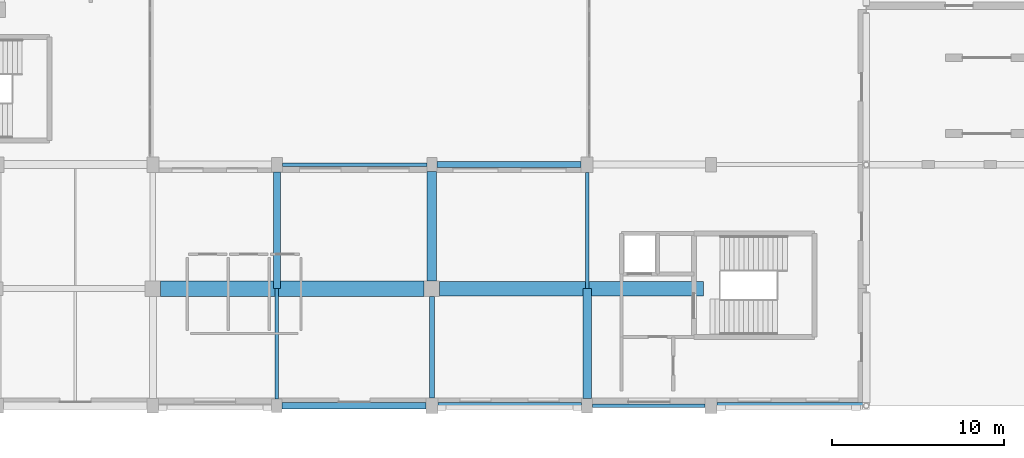
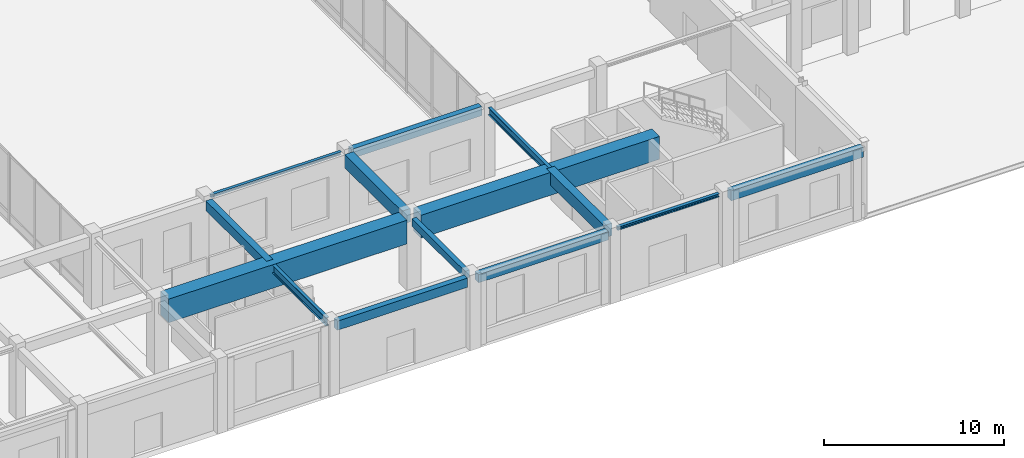
# One storey, part 11 of 64: 14 beams.
"""IFC4 building model written with IfcOpenShell, lengths in metres."""

from ifc_helpers import new_model, si_unit, direction, frame, origin, origin_2d, place, context, subcontext, project, spatial, rectangle, i_section, extrude, material, material_profile, profile_set, type_object, element, save


model = new_model("IFC4")

# Units and contexts
model_context = context("Model", 3, precision=1e-05, world=origin(), true_north=direction((0.0, 1.0)))
body_context = subcontext(model_context, "Body", "Model", "MODEL_VIEW")
ifc_project = project(units=[si_unit("LENGTHUNIT", "METRE"), si_unit("AREAUNIT", "SQUARE_METRE"), si_unit("VOLUMEUNIT", "CUBIC_METRE"), si_unit("PLANEANGLEUNIT", "RADIAN"), si_unit("MASSUNIT", "GRAM", prefix="KILO")], contexts=[model_context])

# Site, building, storey
site_placement = place(None, origin())
site = spatial("IfcSite", under=ifc_project, at=site_placement, CompositionType="ELEMENT")
building_placement = place(site_placement, origin())
building = spatial("IfcBuilding", under=site, at=building_placement, Name="Clarverna Civic Hall", CompositionType="ELEMENT")
storey_placement = place(building_placement, origin())
storey = spatial("IfcBuildingStorey", under=building, at=storey_placement, Name="L00", CompositionType="ELEMENT", Elevation=0.0)

# Beams
ifc_material_1 = material(Name="Steel S355", Category="steel")
ifc_material_profile_1 = material_profile(ifc_material_1, i_section(OverallWidth=0.219970703125, OverallDepth=0.2099609375, WebThickness=0.007080078125, FlangeThickness=0.010986328125, FilletRadius=0.01806640625, at=origin_2d()), Name="HEA 220")
ifc_profile_set_1 = profile_set([ifc_material_profile_1], Name="Steel S355")
beam_type_1 = type_object("IfcBeamType", Name="B-LN1", PredefinedType="LINTEL", material=ifc_profile_set_1)
beam_1_placement = place(storey_placement, frame((50.72509765625, 0.0, 4.675048828125), z_axis=(1.0, 0.0, 0.0), x_axis=(0.0, 1.0, 0.0)))
element("IfcBeam", 1, at=beam_1_placement, inside=storey, type_object=beam_type_1, Name="B-LN1-002", PredefinedType="LINTEL", context=body_context, shape_type="SweptSolid", body=[
    extrude(i_section(OverallWidth=0.219970703125, OverallDepth=0.2099609375, WebThickness=0.007080078125, FlangeThickness=0.010986328125, FilletRadius=0.01806640625, at=origin_2d()), origin(), (0.0, 0.0, 1.0), 6.52490234375),
])
ifc_material_profile_2 = material_profile(ifc_material_1, i_section(OverallWidth=0.199951171875, OverallDepth=0.18994140625, WebThickness=0.006591796875, FlangeThickness=0.010009765625, FilletRadius=0.01806640625, at=origin_2d()), Name="HEA 200")
ifc_profile_set_2 = profile_set([ifc_material_profile_2], Name="Steel S355")
beam_type_2 = type_object("IfcBeamType", Name="B-LN2", PredefinedType="LINTEL", material=ifc_profile_set_2)
beam_2_placement = place(storey_placement, frame((32.72509765625, 14.0, 4.68505859375), z_axis=(1.0, 0.0, 0.0), x_axis=(0.0, 1.0, 0.0)))
element("IfcBeam", 2, at=beam_2_placement, inside=storey, type_object=beam_type_2, Name="B-LN2-002", PredefinedType="LINTEL", context=body_context, shape_type="SweptSolid", body=[
    extrude(i_section(OverallWidth=0.199951171875, OverallDepth=0.18994140625, WebThickness=0.006591796875, FlangeThickness=0.010009765625, FilletRadius=0.01806640625, at=origin_2d()), origin(), (0.0, 0.0, 1.0), 8.375),
])
ifc_material_2 = material(Name="Concrete C35/45", Category="concrete")
ifc_material_profile_3 = material_profile(ifc_material_2, rectangle(XDim=0.5, YDim=0.85009765625, at=origin_2d()), Name="RC 500x850")
ifc_profile_set_3 = profile_set([ifc_material_profile_3], Name="Concrete C35/45")
beam_type_3 = type_object("IfcBeamType", Name="B-RC1", PredefinedType="BEAM", material=ifc_profile_set_3)
beam_3_placement = place(storey_placement, frame((50.39990234375, 0.425048828125, 4.35498046875), z_axis=(0.0, 1.0, 0.0), x_axis=(-1.0, 0.0, 0.0)))
element("IfcBeam", 3, at=beam_3_placement, inside=storey, type_object=beam_type_3, Name="B-RC1-015", PredefinedType="BEAM", context=body_context, shape_type="SweptSolid", body=[
    extrude(rectangle(XDim=0.5, YDim=0.85009765625, at=origin_2d()), origin(), (0.0, 0.0, 1.0), 6.375),
])
ifc_material_profile_4 = material_profile(ifc_material_2, rectangle(XDim=0.300048828125, YDim=0.5, at=origin_2d()), Name="RC 300x500")
ifc_profile_set_4 = profile_set([ifc_material_profile_4], Name="Concrete C35/45")
beam_type_4 = type_object("IfcBeamType", Name="B-RC12", PredefinedType="BEAM", material=ifc_profile_set_4)
beam_4_placement = place(storey_placement, frame((41.39990234375, 0.449951171875, 4.530029296875), z_axis=(0.0, 1.0, 0.0), x_axis=(-1.0, 0.0, 0.0)))
element("IfcBeam", 4, at=beam_4_placement, inside=storey, type_object=beam_type_4, Name="B-RC12-025", PredefinedType="BEAM", context=body_context, shape_type="SweptSolid", body=[
    extrude(rectangle(XDim=0.300048828125, YDim=0.5, at=origin_2d()), origin(), (0.0, 0.0, 1.0), 5.900146484375),
])
ifc_material_profile_5 = material_profile(ifc_material_2, rectangle(XDim=0.550048828125, YDim=0.89990234375, at=origin_2d()), Name="RC 550x900")
ifc_profile_set_5 = profile_set([ifc_material_profile_5], Name="Concrete C35/45")
beam_type_5 = type_object("IfcBeamType", Name="B-RC13", PredefinedType="BEAM", material=ifc_profile_set_5)
beam_5_placement = place(storey_placement, frame((41.39990234375, 7.25, 4.330078125), z_axis=(0.0, 1.0, 0.0), x_axis=(-1.0, 0.0, 0.0)))
element("IfcBeam", 5, at=beam_5_placement, inside=storey, type_object=beam_type_5, Name="B-RC13-018", PredefinedType="BEAM", context=body_context, shape_type="SweptSolid", body=[
    extrude(rectangle(XDim=0.550048828125, YDim=0.89990234375, at=origin_2d()), origin(), (0.0, 0.0, 1.0), 6.35009765625),
])
ifc_material_profile_6 = material_profile(ifc_material_2, rectangle(XDim=0.39990234375, YDim=0.64990234375, at=origin_2d()), Name="RC 400x650")
ifc_profile_set_6 = profile_set([ifc_material_profile_6], Name="Concrete C35/45")
beam_type_6 = type_object("IfcBeamType", Name="B-RC6", PredefinedType="BEAM", material=ifc_profile_set_6)
beam_6_placement = place(storey_placement, frame((32.39990234375, 6.800048828125, 4.455078125), z_axis=(0.0, 1.0, 0.0), x_axis=(-1.0, 0.0, 0.0)))
element("IfcBeam", 6, at=beam_6_placement, inside=storey, type_object=beam_type_6, Name="B-RC6-021", PredefinedType="BEAM", context=body_context, shape_type="SweptSolid", body=[
    extrude(rectangle(XDim=0.39990234375, YDim=0.64990234375, at=origin_2d()), origin(), (0.0, 0.0, 1.0), 6.77490234375),
])
ifc_material_profile_7 = material_profile(ifc_material_2, rectangle(XDim=0.3798828125, YDim=0.679931640625, at=origin_2d()), Name="RC 380x680")
ifc_profile_set_7 = profile_set([ifc_material_profile_7], Name="Concrete C35/45")
beam_type_7 = type_object("IfcBeamType", Name="B-SP2", PredefinedType="SPANDREL", material=ifc_profile_set_7)
beam_7_placement = place(storey_placement, frame((57.949951171875, 0.0, 4.43994140625), z_axis=(1.0, 0.0, 0.0), x_axis=(0.0, 1.0, 0.0)))
element("IfcBeam", 7, at=beam_7_placement, inside=storey, type_object=beam_type_7, Name="B-SP2-032", PredefinedType="SPANDREL", context=body_context, shape_type="SweptSolid", body=[
    extrude(rectangle(XDim=0.3798828125, YDim=0.679931640625, at=origin_2d()), origin(), (0.0, 0.0, 1.0), 8.488037109375),
])
ifc_material_profile_8 = material_profile(ifc_material_2, rectangle(XDim=0.360107421875, YDim=0.6201171875, at=origin_2d()), Name="RC 360x620")
ifc_profile_set_8 = profile_set([ifc_material_profile_8], Name="Concrete C35/45")
beam_type_8 = type_object("IfcBeamType", Name="B-SP3", PredefinedType="SPANDREL", material=ifc_profile_set_8)
for number, where, z_axis, x_axis, name in (
    (8, (32.699951171875, 0.0, 4.469970703125), (1.0, 0.0, 0.0), (0.0, 1.0, 0.0), "B-SP3-032"),
    (9, (41.699951171875, 14.0, 4.469970703125), (1.0, 0.0, 0.0), (0.0, 1.0, 0.0), "B-SP3-033"),
):
    element("IfcBeam", number, at=place(storey_placement, frame(where, z_axis=z_axis, x_axis=x_axis)), inside=storey, type_object=beam_type_8, Name=name, PredefinedType="SPANDREL", context=body_context, shape_type="SweptSolid", body=[
        extrude(rectangle(XDim=0.360107421875, YDim=0.6201171875, at=origin_2d()), origin(), (0.0, 0.0, 1.0), 8.35009765625),
    ])
ifc_material_profile_9 = material_profile(ifc_material_2, rectangle(XDim=0.39990234375, YDim=0.56005859375, at=origin_2d()), Name="RC 400x560")
ifc_profile_set_9 = profile_set([ifc_material_profile_9], Name="Concrete C35/45")
beam_type_9 = type_object("IfcBeamType", Name="B-SP4", PredefinedType="SPANDREL", material=ifc_profile_set_9)
beam_8_placement = place(storey_placement, frame((41.75, 0.0, 4.5), z_axis=(1.0, 0.0, 0.0), x_axis=(0.0, 1.0, 0.0)))
element("IfcBeam", 10, at=beam_8_placement, inside=storey, type_object=beam_type_9, Name="B-SP4-034", PredefinedType="SPANDREL", context=body_context, shape_type="SweptSolid", body=[
    extrude(rectangle(XDim=0.39990234375, YDim=0.56005859375, at=origin_2d()), origin(), (0.0, 0.0, 1.0), 8.324951171875),
])
ifc_material_profile_10 = material_profile(ifc_material_1, i_section(OverallWidth=0.2099609375, OverallDepth=0.550048828125, WebThickness=0.010986328125, FlangeThickness=0.01708984375, FilletRadius=0.02392578125, at=origin_2d()), Name="IPE 550")
ifc_profile_set_10 = profile_set([ifc_material_profile_10], Name="Steel S355")
beam_type_10 = type_object("IfcBeamType", Name="B-ST11", PredefinedType="BEAM", material=ifc_profile_set_10)
beam_9_placement = place(storey_placement, frame((32.39990234375, 0.39990234375, 4.5048828125), z_axis=(0.0, 1.0, 0.0), x_axis=(-1.0, 0.0, 0.0)))
element("IfcBeam", 11, at=beam_9_placement, inside=storey, type_object=beam_type_10, Name="B-ST11-004", PredefinedType="BEAM", context=body_context, shape_type="SweptSolid", body=[
    extrude(i_section(OverallWidth=0.2099609375, OverallDepth=0.550048828125, WebThickness=0.010986328125, FlangeThickness=0.01708984375, FilletRadius=0.02392578125, at=origin_2d()), origin(), (0.0, 0.0, 1.0), 6.400146484375),
])
ifc_material_profile_11 = material_profile(ifc_material_1, i_section(OverallWidth=0.199951171875, OverallDepth=0.5, WebThickness=0.01025390625, FlangeThickness=0.01611328125, FilletRadius=0.02099609375, at=origin_2d()), Name="IPE 500")
ifc_profile_set_11 = profile_set([ifc_material_profile_11], Name="Steel S355")
beam_type_11 = type_object("IfcBeamType", Name="B-ST12", PredefinedType="BEAM", material=ifc_profile_set_11)
beam_10_placement = place(storey_placement, frame((50.39990234375, 6.800048828125, 4.530029296875), z_axis=(0.0, 1.0, 0.0), x_axis=(-1.0, 0.0, 0.0)))
element("IfcBeam", 12, at=beam_10_placement, inside=storey, type_object=beam_type_11, Name="B-ST12-004", PredefinedType="BEAM", context=body_context, shape_type="SweptSolid", body=[
    extrude(i_section(OverallWidth=0.199951171875, OverallDepth=0.5, WebThickness=0.01025390625, FlangeThickness=0.01611328125, FilletRadius=0.02099609375, at=origin_2d()), origin(), (0.0, 0.0, 1.0), 6.75),
])
ifc_material_3 = material(Name="Concrete C40/50", Category="concrete")
ifc_material_profile_12 = material_profile(ifc_material_3, rectangle(XDim=0.89990234375, YDim=1.60009765625, at=origin_2d()), Name="RC 900x1600")
ifc_profile_set_12 = profile_set([ifc_material_profile_12], Name="Concrete C40/50")
beam_type_12 = type_object("IfcBeamType", Name="TG-01", PredefinedType="USERDEFINED", material=ifc_profile_set_12)
beam_11_placement = place(storey_placement, frame((25.64990234375, 6.800048828125, 3.97998046875), z_axis=(1.0, 0.0, 0.0), x_axis=(0.0, 1.0, 0.0)))
element("IfcBeam", 13, at=beam_11_placement, inside=storey, type_object=beam_type_12, Name="Concrete Transfer Girder TG-01", ObjectType="TRANSFER GIRDER", PredefinedType="USERDEFINED", context=body_context, shape_type="SweptSolid", body=[
    extrude(rectangle(XDim=0.89990234375, YDim=1.60009765625, at=origin_2d()), origin(), (0.0, 0.0, 1.0), 15.300048828125),
])
ifc_material_profile_13 = material_profile(ifc_material_3, rectangle(XDim=0.85009765625, YDim=1.550048828125, at=origin_2d()), Name="RC 850x1550")
ifc_profile_set_13 = profile_set([ifc_material_profile_13], Name="Concrete C40/50")
beam_type_13 = type_object("IfcBeamType", Name="TG-02", PredefinedType="USERDEFINED", material=ifc_profile_set_13)
beam_12_placement = place(storey_placement, frame((41.85009765625, 6.800048828125, 4.0048828125), z_axis=(1.0, 0.0, 0.0), x_axis=(0.0, 1.0, 0.0)))
element("IfcBeam", 14, at=beam_12_placement, inside=storey, type_object=beam_type_13, Name="Concrete Transfer Girder TG-02", ObjectType="TRANSFER GIRDER", PredefinedType="USERDEFINED", context=body_context, shape_type="SweptSolid", body=[
    extrude(rectangle(XDim=0.85009765625, YDim=1.550048828125, at=origin_2d()), origin(), (0.0, 0.0, 1.0), 15.2998046875),
])

save(model, "model.ifc")
